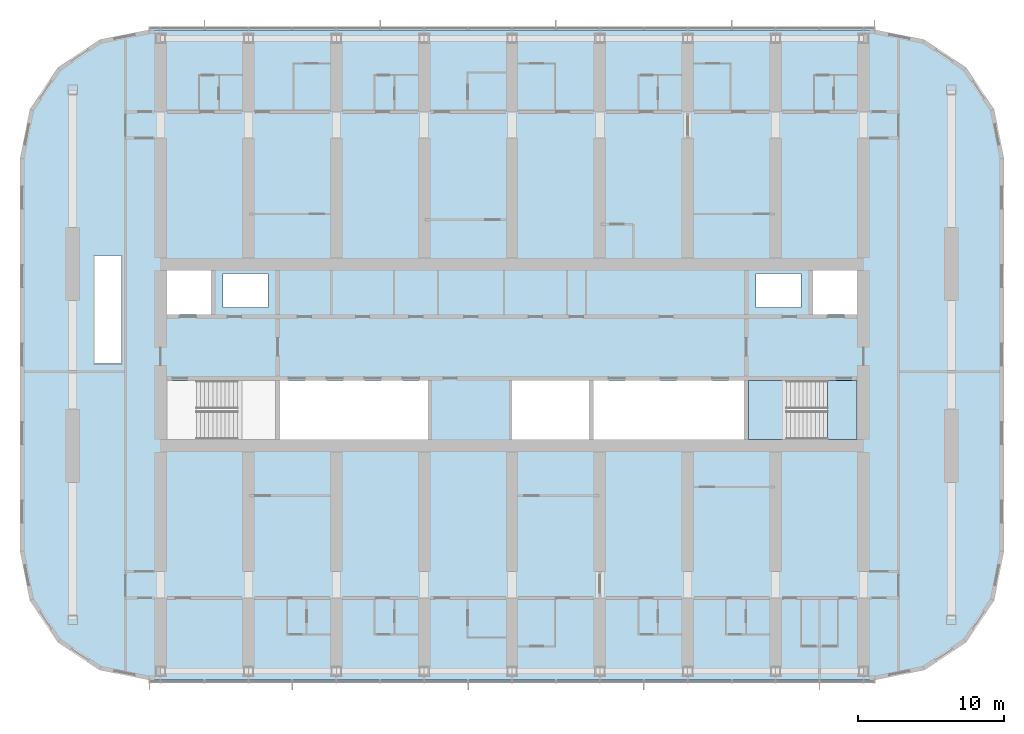
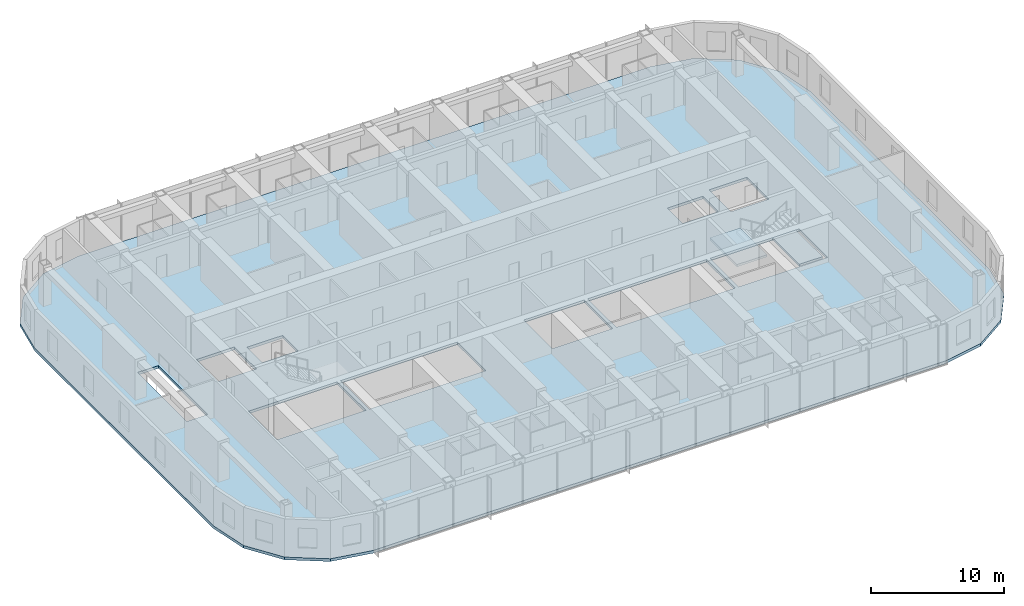
# One storey, part 8 of 22: 3 slabs, 1 element without a shape of its own.
"""IFC4 building model written with IfcOpenShell, lengths in metres."""

from ifc_helpers import new_model, si_unit, direction, frame, origin, place, context, subcontext, project, spatial, polyline, outline, extrude, material, layer, layer_set, type_object, element, aggregate, save


model = new_model("IFC4")

# Units and contexts
model_context = context("Model", 3, precision=1e-05, world=origin(), true_north=direction((0.0, 1.0)))
body_context = subcontext(model_context, "Body", "Model", "MODEL_VIEW")
ifc_project = project(units=[si_unit("LENGTHUNIT", "METRE"), si_unit("AREAUNIT", "SQUARE_METRE"), si_unit("VOLUMEUNIT", "CUBIC_METRE"), si_unit("PLANEANGLEUNIT", "RADIAN"), si_unit("MASSUNIT", "GRAM", prefix="KILO")], contexts=[model_context])

# Site, building, storey
site_placement = place(None, origin())
site = spatial("IfcSite", under=ifc_project, at=site_placement, CompositionType="ELEMENT")
building_placement = place(site_placement, origin())
building = spatial("IfcBuilding", under=site, at=building_placement, Name="Orbita Commons", CompositionType="ELEMENT")
storey_placement = place(building_placement, frame((0.0, 0.0, 182.35009765625)))
storey = spatial("IfcBuildingStorey", under=building, at=storey_placement, Name="L45", CompositionType="ELEMENT", Elevation=182.35009765625)

# Slab
ifc_material_1 = material(Name="Concrete C40/50", Category="concrete")
ifc_layer_1 = layer(ifc_material_1, 0.25)
ifc_layer_set_1 = layer_set([ifc_layer_1], Name="Concrete C40/50")
slab_type_1 = type_object("IfcSlabType", Name="Floor slab 250", PredefinedType="FLOOR", material=ifc_layer_set_1)
slab_1_placement = place(storey_placement, frame((0.0, 0.0, -0.25)))
element("IfcSlab", 1, at=slab_1_placement, inside=storey, type_object=slab_type_1, Name="Floor slab L45", PredefinedType="FLOOR", context=body_context, shape_type="SweptSolid", body=[
    extrude(outline(polyline([(66.800048828125, 9.800048828125), (70.167724609375, 10.469970703125), (73.0224609375, 12.37744140625), (74.93017578125, 15.232421875), (75.60009765625, 18.60009765625), (75.60009765625, 45.39990234375), (74.93017578125, 48.767578125), (73.0224609375, 51.62255859375), (70.167724609375, 53.530029296875), (66.800048828125, 54.199951171875), (17.199951171875, 54.199951171875), (13.832275390625, 53.530029296875), (10.9775390625, 51.62255859375), (9.06982421875, 48.767578125), (8.39990234375, 45.39990234375), (8.39990234375, 18.60009765625), (9.06982421875, 15.232421875), (10.9775390625, 12.37744140625), (13.832275390625, 10.469970703125), (17.199951171875, 9.800048828125), (66.800048828125, 9.800048828125)]), holes=[polyline([(18.14990234375, 25.949951171875), (25.85009765625, 25.949951171875), (25.85009765625, 30.25), (18.14990234375, 30.25), (18.14990234375, 25.949951171875)]), polyline([(58.14990234375, 25.949951171875), (65.85009765625, 25.949951171875), (65.85009765625, 30.25), (58.14990234375, 30.25), (58.14990234375, 25.949951171875)]), polyline([(18.14990234375, 34.75), (21.449951171875, 34.75), (21.449951171875, 38.050048828125), (18.14990234375, 38.050048828125), (18.14990234375, 34.75)]), polyline([(62.550048828125, 34.75), (65.85009765625, 34.75), (65.85009765625, 38.050048828125), (62.550048828125, 38.050048828125), (62.550048828125, 34.75)]), polyline([(22.25, 35.25), (25.35009765625, 35.25), (25.35009765625, 37.550048828125), (22.25, 37.550048828125), (22.25, 35.25)]), polyline([(58.64990234375, 35.25), (61.75, 35.25), (61.75, 37.550048828125), (58.64990234375, 37.550048828125), (58.64990234375, 35.25)]), polyline([(26.14990234375, 25.949951171875), (36.25, 25.949951171875), (36.25, 30.25), (26.14990234375, 30.25), (26.14990234375, 25.949951171875)]), polyline([(42.0, 25.949951171875), (47.25, 25.949951171875), (47.25, 30.25), (42.0, 30.25), (42.0, 25.949951171875)]), polyline([(47.550048828125, 25.949951171875), (57.85009765625, 25.949951171875), (57.85009765625, 30.25), (47.550048828125, 30.25), (47.550048828125, 25.949951171875)]), polyline([(13.5, 31.39990234375), (15.300048828125, 31.39990234375), (15.300048828125, 38.800048828125), (13.5, 38.800048828125), (13.5, 31.39990234375)])]), origin(), (0.0, 0.0, 1.0), 0.25),
])

# Stair, slabs
ifc_material_2 = material(Name="Precast concrete C40/50", Category="concrete")
stair_type = type_object("IfcStairType", Name="Exit stair S2 2 flights 11 risers 170", PredefinedType="HALF_TURN_STAIR", material=ifc_material_2)
stair_placement = place(storey_placement, origin())
stair = element("IfcStair", 2, at=stair_placement, inside=storey, type_object=stair_type, Name="Exit stair S2 L45", PredefinedType="HALF_TURN_STAIR")
ifc_material_3 = material(Name="Concrete C40/50", Category="concrete")
ifc_layer_2 = layer(ifc_material_3, 0.199951171875)
ifc_layer_set_2 = layer_set([ifc_layer_2], Name="Concrete C40/50")
slab_type_2 = type_object("IfcSlabType", Name="Stair landing 200", PredefinedType="LANDING", material=ifc_layer_set_2)
slab_2_placement = place(storey_placement, frame((0.0, 0.0, -0.2001953125)))
slab_2 = element("IfcSlab", 3, at=slab_2_placement, type_object=slab_type_2, Name="S2 landing 1", PredefinedType="LANDING", context=body_context, shape_type="SweptSolid", body=[
    extrude(outline(polyline([(63.550048828125, 26.22509765625), (65.574951171875, 26.22509765625), (65.574951171875, 30.25), (63.550048828125, 30.25), (63.550048828125, 26.22509765625)])), origin(), (0.0, 0.0, 1.0), 0.2001953125),
])
slab_3_placement = place(storey_placement, frame((0.0, 0.0, 1.6748046875)))
slab_3 = element("IfcSlab", 4, at=slab_3_placement, type_object=slab_type_2, Name="S2 landing 2", PredefinedType="LANDING", context=body_context, shape_type="SweptSolid", body=[
    extrude(outline(polyline([(58.135009765625, 26.2099609375), (60.75, 26.2099609375), (60.75, 30.264892578125), (58.135009765625, 30.264892578125), (58.135009765625, 26.2099609375)])), origin(), (0.0, 0.0, 1.0), 0.2001953125),
])
aggregate(stair, [slab_2, slab_3])

save(model, "model.ifc")
